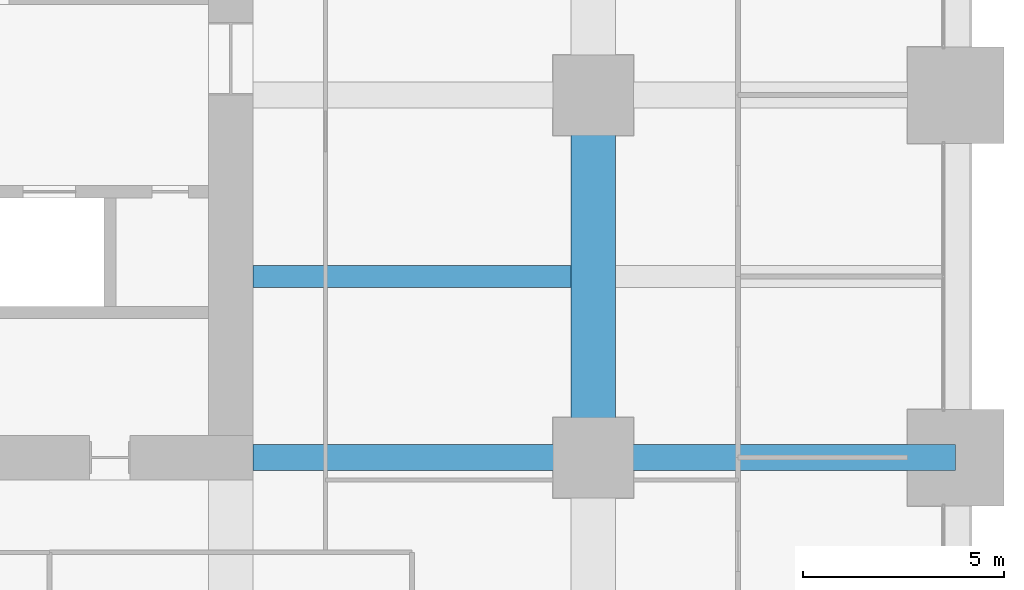
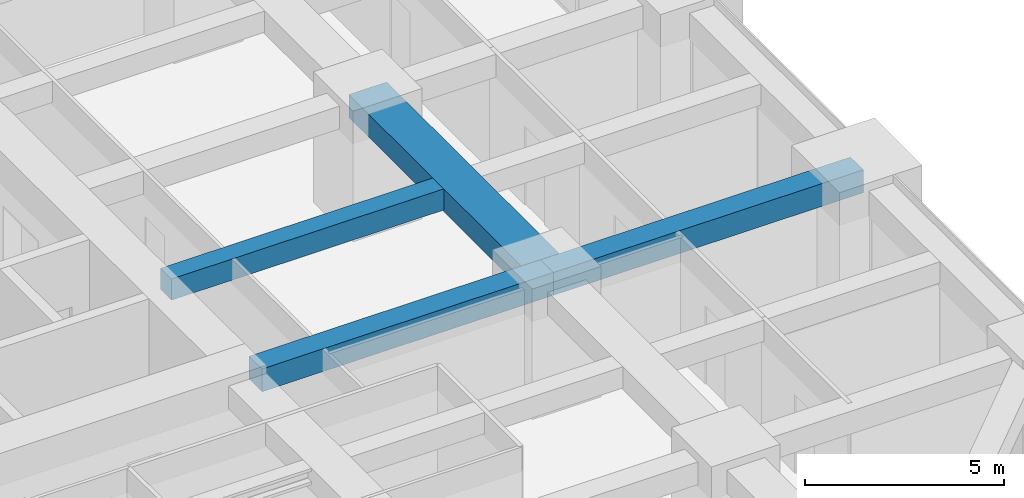
# One storey, part 20 of 41: 4 beams.
"""IFC4 building model written with IfcOpenShell, lengths in metres."""

import ifcopenshell
import ifcopenshell.guid

model = None  # the IFC model being written
_history = None  # IfcOwnerHistory: only IFC2X3 demands one
_inside = {}  # id of a spatial element -> (the spatial element, [elements in it])
_under = {}  # id of a project, library or spatial element -> (it, [spatial elements below it])
_declared = {}  # id of a project -> (the project, [libraries it declares])
_typed = {}  # id of a type object -> (the type object, [elements of that type])
_made_of = {}  # id of a material, layer set ... -> (it, [elements and type objects made of it])


def new_model(schema):
    """Start an empty IFC model of exactly this schema.

    Asked for "IFC4X3", IfcOpenShell would pick the latest addendum, in which some entities
    have other attributes; the version numbers below select the first issue.
    IFC2X3 requires an IfcOwnerHistory on every rooted entity: one is made here for all.
    """
    global model, _history
    if schema == "IFC4X3":
        model = ifcopenshell.file(schema_version=(4, 3, 0, 0))
    else:
        model = ifcopenshell.file(schema=schema)
    _inside.clear()
    _under.clear()
    _declared.clear()
    _typed.clear()
    _made_of.clear()
    _history = None
    if model.schema == "IFC2X3":
        org = make("IfcOrganization", Name="unknown")
        user = make(
            "IfcPersonAndOrganization",
            ThePerson=make("IfcPerson", FamilyName="unknown"),
            TheOrganization=org,
        )
        app = make(
            "IfcApplication",
            ApplicationDeveloper=org,
            Version="unknown",
            ApplicationFullName="unknown",
            ApplicationIdentifier="unknown",
        )
        _history = make(
            "IfcOwnerHistory",
            OwningUser=user,
            OwningApplication=app,
            ChangeAction="ADDED",
            CreationDate=0,
        )
    return model


def make(cls, **values):
    """One entity of the class cls with the attributes given. An attribute that is None is left unset."""
    return model.create_entity(
        cls, **{name: value for name, value in values.items() if value is not None}
    )


def rooted(cls, **values):
    """An entity with a GlobalId (a new one), such as an element, a storey or a relation."""
    return make(cls, GlobalId=ifcopenshell.guid.new(), OwnerHistory=_history, **values)


def si_unit(unit_type, name, prefix=None):
    """IfcSIUnit, for example si_unit("LENGTHUNIT", "METRE", prefix="MILLI")."""
    return make("IfcSIUnit", UnitType=unit_type, Prefix=prefix, Name=name)


def assignment(units):
    """IfcUnitAssignment: the units of a project."""
    return None if units is None else make("IfcUnitAssignment", Units=units)


def point(xyz):
    """IfcCartesianPoint."""
    return None if xyz is None else make("IfcCartesianPoint", Coordinates=xyz)


def direction(xyz):
    """IfcDirection."""
    return None if xyz is None else make("IfcDirection", DirectionRatios=xyz)


def frame(location, z_axis=None, x_axis=None):
    """IfcAxis2Placement3D, a coordinate frame: its origin and axes. An axis left out is left unset."""
    return make(
        "IfcAxis2Placement3D",
        Location=point(location),
        Axis=direction(z_axis),
        RefDirection=direction(x_axis),
    )


def frame_2d(location, x_axis=None):
    """IfcAxis2Placement2D, a coordinate frame in the plane: its origin and x axis."""
    return make(
        "IfcAxis2Placement2D", Location=point(location), RefDirection=direction(x_axis)
    )


def origin():
    """The frame at (0, 0, 0) with its axes left unset."""
    return frame((0.0, 0.0, 0.0))


def origin_2d():
    """The frame at (0, 0) in the plane with its x axis left unset."""
    return frame_2d((0.0, 0.0))


def place(relative_to, where):
    """IfcLocalPlacement: puts the frame where relative to a parent placement (None: the world)."""
    return make(
        "IfcLocalPlacement", PlacementRelTo=relative_to, RelativePlacement=where
    )


def context(
    kind, dimensions, precision=None, world=None, true_north=None, identifier=None
):
    """IfcGeometricRepresentationContext, for example the 3D "Model" context."""
    return make(
        "IfcGeometricRepresentationContext",
        ContextIdentifier=identifier,
        ContextType=kind,
        CoordinateSpaceDimension=dimensions,
        Precision=precision,
        WorldCoordinateSystem=world,
        TrueNorth=true_north,
    )


def subcontext(parent, identifier, kind, view, scale=None):
    """IfcGeometricRepresentationSubContext, for example "Body" below "Model"."""
    return make(
        "IfcGeometricRepresentationSubContext",
        ContextIdentifier=identifier,
        ContextType=kind,
        ParentContext=parent,
        TargetScale=scale,
        TargetView=view,
    )


def project(units=None, contexts=None):
    """IfcProject with its units and contexts."""
    return rooted(
        "IfcProject",
        Name="project",
        RepresentationContexts=contexts,
        UnitsInContext=assignment(units),
    )


def spatial(cls, under=None, at=None, **own):
    """A site, building, storey or space (cls), placed at a placement, below another one or the project."""
    s = rooted(cls, ObjectPlacement=at, **own)
    if under is not None:
        _under.setdefault(under.id(), (under, []))[1].append(s)
    return s


def profile(cls, at=None, kind="AREA", **sizes):
    """A parametric profile (cls). Its sizes go by their IFC names, for example OverallWidth=200.0."""
    return make(cls, ProfileType=kind, Position=at, **sizes)


def rectangle(**sizes):
    """IfcRectangleProfileDef."""
    return profile("IfcRectangleProfileDef", **sizes)


def extrude(swept, where, along, depth):
    """IfcExtrudedAreaSolid: the profile swept, set in the frame where, extruded along a direction by depth."""
    return make(
        "IfcExtrudedAreaSolid",
        SweptArea=swept,
        Position=where,
        ExtrudedDirection=direction(along),
        Depth=depth,
    )


def shape(context_of_items, identifier, shape_type, items):
    """IfcShapeRepresentation: the items that make up one representation, for example the "Body"."""
    return make(
        "IfcShapeRepresentation",
        ContextOfItems=context_of_items,
        RepresentationIdentifier=identifier,
        RepresentationType=shape_type,
        Items=items,
    )


def material(Name=None, Category=None):
    """IfcMaterial."""
    return make("IfcMaterial", Name=Name, Category=Category)


def material_profile(
    of_material, cross_section, Name=None, Category=None, Priority=None
):
    """IfcMaterialProfile: a cross section and its material."""
    return make(
        "IfcMaterialProfile",
        Name=Name,
        Material=of_material,
        Profile=cross_section,
        Priority=Priority,
        Category=Category,
    )


def profile_set(profiles, Name=None, composite=None):
    """IfcMaterialProfileSet."""
    return make(
        "IfcMaterialProfileSet",
        Name=Name,
        MaterialProfiles=profiles,
        CompositeProfile=composite,
    )


def made_of(thing, what):
    """Note that an element or type object is made of a material, layer set ...; save() writes the relation."""
    if what is not None:
        _made_of.setdefault(what.id(), (what, []))[1].append(thing)
    return thing


def type_object(cls, material=None, **own):
    """A type object (cls), such as IfcWallType, which elements share."""
    return made_of(rooted(cls, **own), material)


def element(
    cls,
    number,
    at=None,
    inside=None,
    cuts=None,
    type_object=None,
    material=None,
    context=None,
    identifier="Body",
    shape_type=None,
    held_by="IfcProductDefinitionShape",
    body=None,
    shapes=None,
    **own,
):
    """One element of the class cls, such as IfcWall. Its Tag is "e" and its number.

    at: its placement. inside: the storey or other place that contains it. cuts: it is an
    opening in that element (IfcRelVoidsElement). A single representation is given by context,
    identifier, shape_type and body (its items); several are given by shapes. held_by: the class
    of the entity that holds the representations. save() writes the other relations.
    """
    e = rooted(cls, Tag="e%d" % number, ObjectPlacement=at, **own)
    if body is not None:
        shapes = [shape(context, identifier, shape_type, body)]
    if shapes is not None:
        e.Representation = make(held_by, Representations=shapes)
    if inside is not None:
        _inside.setdefault(inside.id(), (inside, []))[1].append(e)
    if cuts is not None:
        rooted(
            "IfcRelVoidsElement", RelatingBuildingElement=cuts, RelatedOpeningElement=e
        )
    if type_object is not None:
        _typed.setdefault(type_object.id(), (type_object, []))[1].append(e)
    return made_of(e, material)


def aggregate(whole, parts):
    """IfcRelAggregates: a whole, such as a stair, and the parts it consists of."""
    return rooted("IfcRelAggregates", RelatingObject=whole, RelatedObjects=parts)


def save(model, path):
    """Write the relations noted so far, then the file.

    IfcRelAggregates (storeys below a building ...), IfcRelContainedInSpatialStructure (elements
    in a storey), IfcRelDefinesByType, IfcRelAssociatesMaterial and IfcRelDeclares: one each for
    every whole, place, type object, material and project.
    """
    for whole, parts in _under.values():
        aggregate(whole, parts)
    for where, things in _inside.values():
        rooted(
            "IfcRelContainedInSpatialStructure",
            RelatedElements=things,
            RelatingStructure=where,
        )
    for kind, things in _typed.values():
        rooted("IfcRelDefinesByType", RelatedObjects=things, RelatingType=kind)
    for what, things in _made_of.values():
        rooted("IfcRelAssociatesMaterial", RelatedObjects=things, RelatingMaterial=what)
    for by, libraries in _declared.values():
        rooted("IfcRelDeclares", RelatingContext=by, RelatedDefinitions=libraries)
    model.write(path)


model = new_model("IFC4")

# Units and contexts
model_context = context("Model", 3, precision=1e-05, world=origin(), true_north=direction((0.0, 1.0)))
body_context = subcontext(model_context, "Body", "Model", "MODEL_VIEW")
ifc_project = project(units=[si_unit("LENGTHUNIT", "METRE"), si_unit("AREAUNIT", "SQUARE_METRE"), si_unit("VOLUMEUNIT", "CUBIC_METRE"), si_unit("PLANEANGLEUNIT", "RADIAN"), si_unit("MASSUNIT", "GRAM", prefix="KILO")], contexts=[model_context])

# Site, building, storey
site_placement = place(None, origin())
site = spatial("IfcSite", under=ifc_project, at=site_placement, CompositionType="ELEMENT")
building_placement = place(site_placement, origin())
building = spatial("IfcBuilding", under=site, at=building_placement, Name="Zorevar Civic Tower", CompositionType="ELEMENT")
storey_placement = place(building_placement, frame((0.0, 0.0, 109.0)))
storey = spatial("IfcBuildingStorey", under=building, at=storey_placement, Name="L26", CompositionType="ELEMENT", Elevation=109.0)

# Beams
ifc_material_1 = material(Name="Concrete C50/60", Category="concrete")
ifc_material_profile_1 = material_profile(ifc_material_1, rectangle(XDim=1.10009765625, YDim=0.699951171875, at=origin_2d()), Name="RC 1100x700")
ifc_profile_set_1 = profile_set([ifc_material_profile_1], Name="Concrete C50/60")
beam_type_1 = type_object("IfcBeamType", Name="Beam RC 1100x700", PredefinedType="BEAM", material=ifc_profile_set_1)
beam_1_placement = place(storey_placement, frame((54.0, 18.0, 3.39990234375), z_axis=(0.0, 1.0, 0.0), x_axis=(-1.0, 0.0, 0.0)))
element("IfcBeam", 1, at=beam_1_placement, inside=storey, type_object=beam_type_1, Name="Girder L27", PredefinedType="BEAM", context=body_context, shape_type="SweptSolid", body=[
    extrude(rectangle(XDim=1.10009765625, YDim=0.699951171875, at=origin_2d()), origin(), (0.0, 0.0, 1.0), 9.0),
])
ifc_material_2 = material(Name="Concrete C50/60", Category="concrete")
ifc_material_profile_2 = material_profile(ifc_material_2, rectangle(XDim=0.550048828125, YDim=0.64990234375, at=origin_2d()), Name="RC 550x650")
ifc_profile_set_2 = profile_set([ifc_material_profile_2], Name="Concrete C50/60")
beam_type_2 = type_object("IfcBeamType", Name="Beam RC 550x650", PredefinedType="BEAM", material=ifc_profile_set_2)
beam_2_placement = place(storey_placement, frame((45.550048828125, 22.5, 3.425048828125), z_axis=(1.0, 0.0, 0.0), x_axis=(0.0, 1.0, 0.0)))
element("IfcBeam", 2, at=beam_2_placement, inside=storey, type_object=beam_type_2, Name="Secondary beam L27", PredefinedType="BEAM", context=body_context, shape_type="SweptSolid", body=[
    extrude(rectangle(XDim=0.550048828125, YDim=0.64990234375, at=origin_2d()), origin(), (0.0, 0.0, 1.0), 7.89990234375),
])
ifc_material_3 = material(Name="Concrete C50/60", Category="concrete")
ifc_material_profile_3 = material_profile(ifc_material_3, rectangle(XDim=0.64990234375, YDim=0.699951171875, at=origin_2d()), Name="RC 650x700")
ifc_profile_set_3 = profile_set([ifc_material_profile_3], Name="Concrete C50/60")
beam_type_3 = type_object("IfcBeamType", Name="Beam RC 650x700", PredefinedType="BEAM", material=ifc_profile_set_3)
beam_3_placement = place(storey_placement, frame((45.550048828125, 18.0, 3.39990234375), z_axis=(1.0, 0.0, 0.0), x_axis=(0.0, 1.0, 0.0)))
element("IfcBeam", 3, at=beam_3_placement, inside=storey, type_object=beam_type_3, Name="Girder L27", PredefinedType="BEAM", context=body_context, shape_type="SweptSolid", body=[
    extrude(rectangle(XDim=0.64990234375, YDim=0.699951171875, at=origin_2d()), origin(), (0.0, 0.0, 1.0), 8.449951171875),
])
beam_4_placement = place(storey_placement, frame((54.0, 18.0, 3.39990234375), z_axis=(1.0, 0.0, 0.0), x_axis=(0.0, 1.0, 0.0)))
element("IfcBeam", 4, at=beam_4_placement, inside=storey, type_object=beam_type_3, Name="Girder L27", PredefinedType="BEAM", context=body_context, shape_type="SweptSolid", body=[
    extrude(rectangle(XDim=0.64990234375, YDim=0.699951171875, at=origin_2d()), origin(), (0.0, 0.0, 1.0), 9.0),
])

save(model, "model.ifc")
